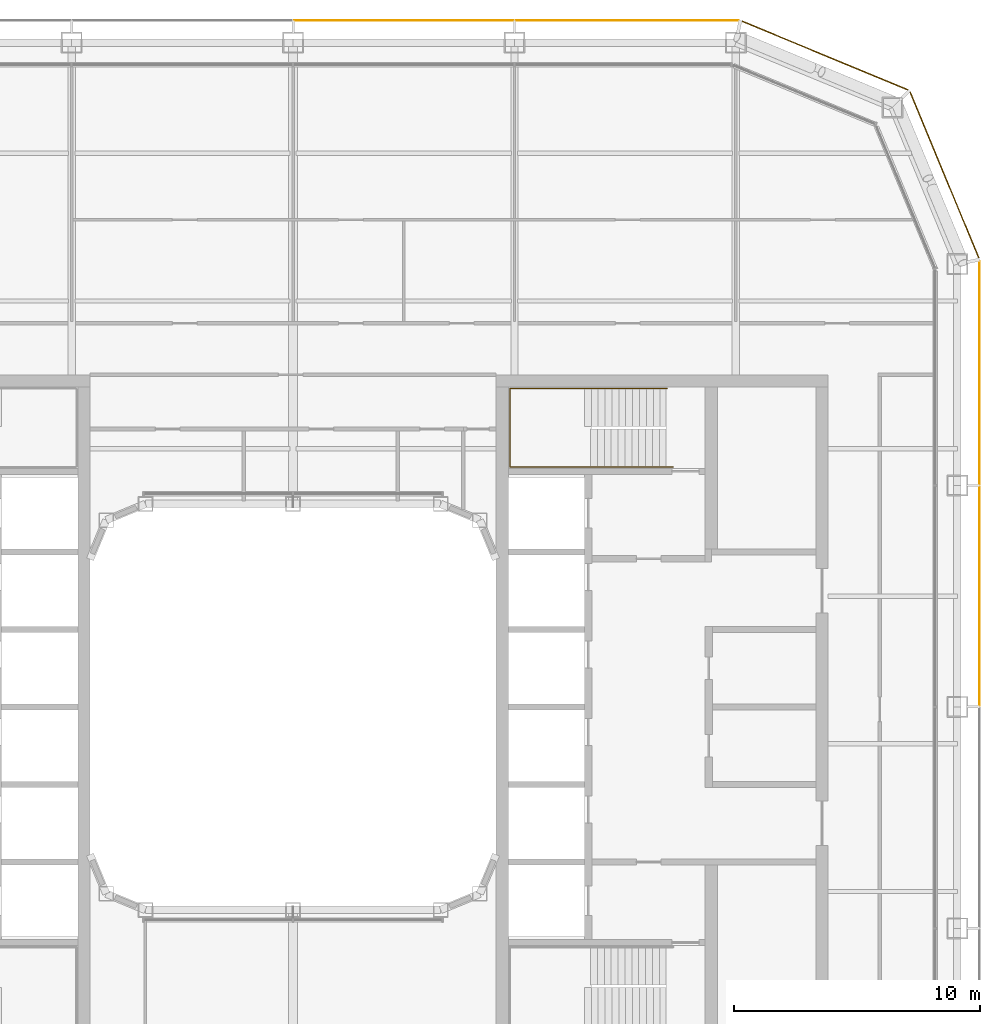
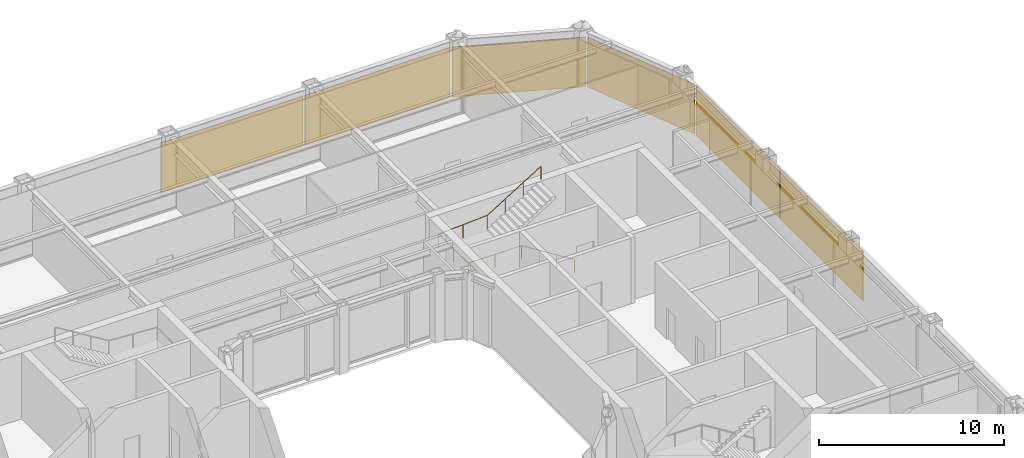
# One storey, part 22 of 23: 6 coverings, 1 railing.
"""IFC4 building model written with IfcOpenShell, lengths in metres."""

from ifc_helpers import new_model, si_unit, direction, frame, origin, origin_2d, place, context, subcontext, project, spatial, rectangle, circle, extrude, material, layer, layer_set, type_object, element, save


model = new_model("IFC4")

# Units and contexts
model_context = context("Model", 3, precision=1e-05, world=origin(), true_north=direction((0.0, 1.0)))
body_context = subcontext(model_context, "Body", "Model", "MODEL_VIEW")
ifc_project = project(units=[si_unit("LENGTHUNIT", "METRE"), si_unit("AREAUNIT", "SQUARE_METRE"), si_unit("VOLUMEUNIT", "CUBIC_METRE"), si_unit("PLANEANGLEUNIT", "RADIAN"), si_unit("MASSUNIT", "GRAM", prefix="KILO")], contexts=[model_context])

# Site, building, storey
site_placement = place(None, origin())
site = spatial("IfcSite", under=ifc_project, at=site_placement, CompositionType="ELEMENT")
building_placement = place(site_placement, origin())
building = spatial("IfcBuilding", under=site, at=building_placement, Name="Siwar Civic Tower", CompositionType="ELEMENT")
storey_placement = place(building_placement, frame((0.0, 0.0, 197.199951171875)))
storey = spatial("IfcBuildingStorey", under=building, at=storey_placement, Name="L42", CompositionType="ELEMENT", Elevation=197.199951171875)

# Railing
ifc_material_1 = material(Name="Stainless steel", Category="steel")
railing_type = type_object("IfcRailingType", Name="CORE-STAIR-HANDRAIL", PredefinedType="HANDRAIL", material=ifc_material_1)
railing_placement = place(storey_placement, frame((15.449951171875, 9.758056640625, 0.173095703125)))
element("IfcRailing", 1, at=railing_placement, inside=storey, type_object=railing_type, Name="Stair handrail ST3", PredefinedType="HANDRAIL", context=body_context, shape_type="SweptSolid", body=[
    extrude(circle(Radius=0.02001953125, at=origin_2d()), frame((0.0, 0.0, 0.8798828125), z_axis=(-0.847063342986, 0.0, 0.531491950051), x_axis=(0.0, -1.0, 0.0)), (0.0, 0.0, 1.0), 3.90771484375),
    extrude(circle(Radius=0.02001953125, at=origin_2d()), frame((-3.31005859375, 0.0, 2.956787109375), z_axis=(-1.0, 0.0, 0.0), x_axis=(0.0, -1.0, 0.0)), (0.0, 0.0, 1.0), 3.331787109375),
    extrude(circle(Radius=0.02001953125, at=origin_2d()), frame((-6.641845703125, 0.0, 2.956787109375), z_axis=(0.0, 1.0, 0.0), x_axis=(-1.0, 0.0, 0.0)), (0.0, 0.0, 1.0), 3.183837890625),
    extrude(circle(Radius=0.02001953125, at=origin_2d()), frame((-6.641845703125, 3.183837890625, 2.956787109375), z_axis=(0.99837434197, 0.0, 0.056997134106), x_axis=(0.0, 1.0, 0.0)), (0.0, 0.0, 1.0), 3.036865234375),
    extrude(circle(Radius=0.02001953125, at=origin_2d()), frame((-3.60986328125, 3.183837890625, 3.1298828125), z_axis=(0.850606129759, 0.0, 0.525803396734), x_axis=(0.0, 1.0, 0.0)), (0.0, 0.0, 1.0), 3.949951171875),
    extrude(circle(Radius=0.02001953125, at=origin_2d()), origin(), (0.0, 0.0, 1.0), 0.85986328125),
    extrude(circle(Radius=0.02001953125, at=origin_2d()), frame((-1.103271484375, 0.0, 0.6923828125)), (0.0, 0.0, 1.0), 0.85986328125),
    extrude(circle(Radius=0.02001953125, at=origin_2d()), frame((-2.206787109375, 0.0, 1.384521484375)), (0.0, 0.0, 1.0), 0.85986328125),
    extrude(circle(Radius=0.02001953125, at=origin_2d()), frame((-3.31005859375, 0.0, 2.076904296875)), (0.0, 0.0, 1.0), 0.85986328125),
    extrude(circle(Radius=0.02001953125, at=origin_2d()), frame((-4.97607421875, 0.0, 2.076904296875)), (0.0, 0.0, 1.0), 0.85986328125),
    extrude(circle(Radius=0.02001953125, at=origin_2d()), frame((-6.641845703125, 0.0, 2.076904296875)), (0.0, 0.0, 1.0), 0.85986328125),
    extrude(circle(Radius=0.02001953125, at=origin_2d()), frame((-6.641845703125, 1.591796875, 2.076904296875)), (0.0, 0.0, 1.0), 0.85986328125),
    extrude(circle(Radius=0.02001953125, at=origin_2d()), frame((-6.641845703125, 3.183837890625, 2.076904296875)), (0.0, 0.0, 1.0), 0.85986328125),
    extrude(circle(Radius=0.02001953125, at=origin_2d()), frame((-5.1259765625, 3.183837890625, 2.16357421875)), (0.0, 0.0, 1.0), 0.85986328125),
    extrude(circle(Radius=0.02001953125, at=origin_2d()), frame((-3.60986328125, 3.183837890625, 2.25)), (0.0, 0.0, 1.0), 0.85986328125),
    extrude(circle(Radius=0.02001953125, at=origin_2d()), frame((-2.489990234375, 3.183837890625, 2.9423828125)), (0.0, 0.0, 1.0), 0.85986328125),
    extrude(circle(Radius=0.02001953125, at=origin_2d()), frame((-1.369873046875, 3.183837890625, 3.634521484375)), (0.0, 0.0, 1.0), 0.85986328125),
    extrude(circle(Radius=0.02001953125, at=origin_2d()), frame((-0.25, 3.183837890625, 4.326904296875)), (0.0, 0.0, 1.0), 0.85986328125),
])

# Coverings
ifc_material_2 = material(Name="Perforated aluminium cassette, pale metal", Category="aluminium")
ifc_layer = layer(ifc_material_2, 0.0400390625)
ifc_layer_set = layer_set([ifc_layer], Name="Perforated aluminium cassette, pale metal")
covering_type = type_object("IfcCoveringType", Name="ENV-OUTER SKIN OS-1", PredefinedType="CLADDING", material=ifc_layer_set)
covering_1_placement = place(storey_placement, frame((27.89990234375, 4.5, -0.14990234375), z_axis=(0.0, 0.0, 1.0), x_axis=(0.0, 1.0, 0.0)))
element("IfcCovering", 2, at=covering_1_placement, inside=storey, type_object=covering_type, Name="OUTER SKIN OS-1 E 3", PredefinedType="CLADDING", context=body_context, shape_type="SweptSolid", body=[
    extrude(rectangle(XDim=8.89990234375, YDim=0.0400390625, at=origin_2d()), origin(), (0.0, 0.0, 1.0), 3.300048828125),
])
covering_2_placement = place(storey_placement, frame((27.89990234375, 13.57958984375, -0.14990234375), z_axis=(0.0, 0.0, 1.0), x_axis=(0.0, 1.0, 0.0)))
element("IfcCovering", 3, at=covering_2_placement, inside=storey, type_object=covering_type, Name="OUTER SKIN OS-1 E 4", PredefinedType="CLADDING", context=body_context, shape_type="SweptSolid", body=[
    extrude(rectangle(XDim=9.05908203125, YDim=0.0400390625, at=origin_2d()), origin(), (0.0, 0.0, 1.0), 3.300048828125),
])
for number, where, z_axis, x_axis, name in (
    (4, (26.476318359375, 21.615966796875, -0.14990234375), (0.0, 0.0, 1.0), (-0.382683432365, 0.923879532511, 0.0), "OUTER SKIN OS-1 NE1 1"),
    (5, (21.615966796875, 26.476318359375, -0.14990234375), (0.0, 0.0, 1.0), (-0.923879532511, 0.382683432365, 0.0), "OUTER SKIN OS-1 NE2 1"),
):
    element("IfcCovering", number, at=place(storey_placement, frame(where, z_axis=z_axis, x_axis=x_axis)), inside=storey, type_object=covering_type, Name=name, PredefinedType="CLADDING", context=body_context, shape_type="SweptSolid", body=[
        extrude(rectangle(XDim=7.300048828125, YDim=0.0400390625, at=origin_2d()), origin(), (0.0, 0.0, 1.0), 3.300048828125),
    ])
covering_3_placement = place(storey_placement, frame((13.57958984375, 27.89990234375, -0.14990234375), z_axis=(0.0, 0.0, 1.0), x_axis=(-1.0, 0.0, 0.0)))
element("IfcCovering", 6, at=covering_3_placement, inside=storey, type_object=covering_type, Name="OUTER SKIN OS-1 N 1", PredefinedType="CLADDING", context=body_context, shape_type="SweptSolid", body=[
    extrude(rectangle(XDim=9.05908203125, YDim=0.0400390625, at=origin_2d()), origin(), (0.0, 0.0, 1.0), 3.300048828125),
])
covering_4_placement = place(storey_placement, frame((4.5, 27.89990234375, -0.14990234375), z_axis=(0.0, 0.0, 1.0), x_axis=(-1.0, 0.0, 0.0)))
element("IfcCovering", 7, at=covering_4_placement, inside=storey, type_object=covering_type, Name="OUTER SKIN OS-1 N 2", PredefinedType="CLADDING", context=body_context, shape_type="SweptSolid", body=[
    extrude(rectangle(XDim=8.89990234375, YDim=0.0400390625, at=origin_2d()), origin(), (0.0, 0.0, 1.0), 3.300048828125),
])

save(model, "model.ifc")
